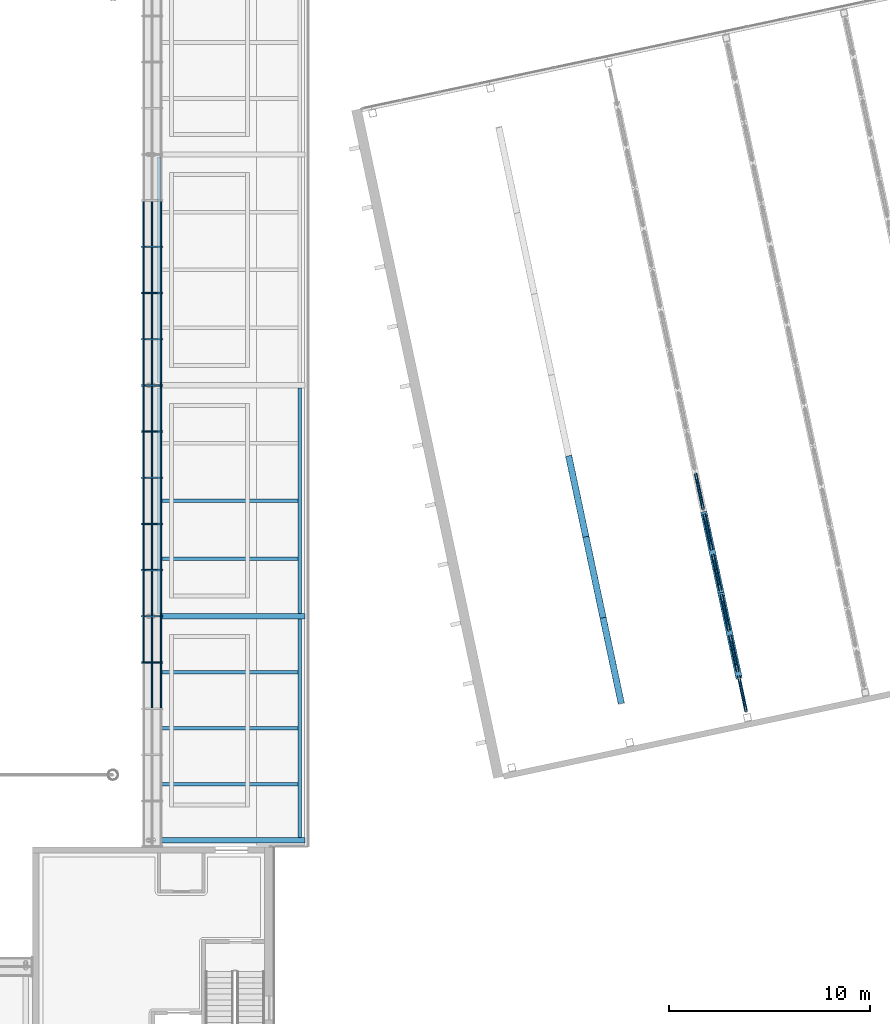
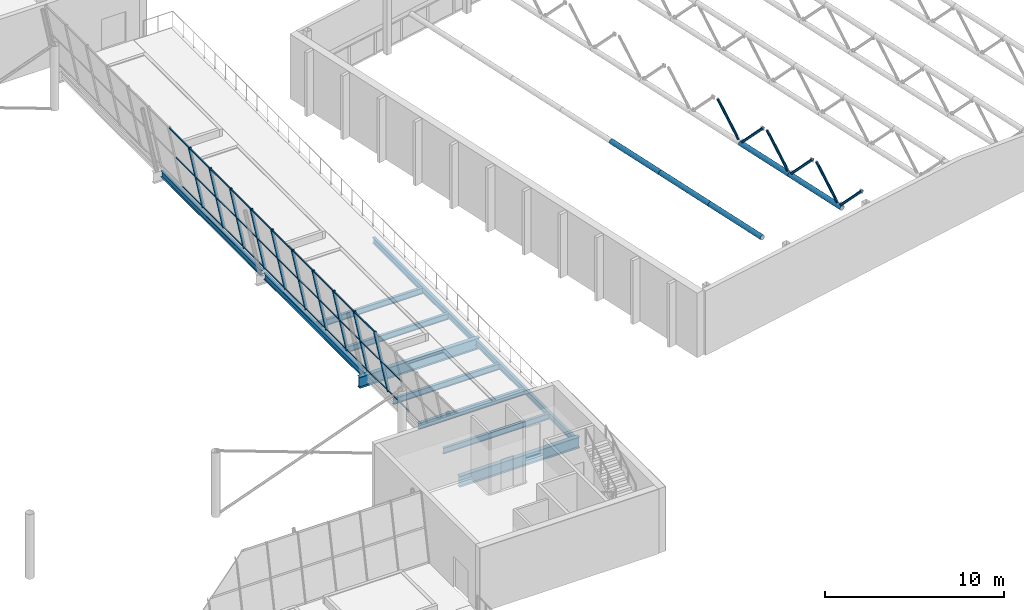
# One storey, part 15 of 58: 53 members, 11 beams, 1 element without a shape of its own.
"""IFC4 building model written with IfcOpenShell, lengths in metres."""

from ifc_helpers import new_model, si_unit, direction, frame, origin, origin_2d, place, context, subcontext, project, spatial, rectangle, hollow_circle, i_section, extrude, material, layer, layer_set, material_profile, profile_set, type_object, element, aggregate, save


model = new_model("IFC4")

# Units and contexts
model_context = context("Model", 3, precision=1e-05, world=origin(), true_north=direction((0.0, 1.0)))
body_context = subcontext(model_context, "Body", "Model", "MODEL_VIEW")
ifc_project = project(units=[si_unit("LENGTHUNIT", "METRE"), si_unit("AREAUNIT", "SQUARE_METRE"), si_unit("VOLUMEUNIT", "CUBIC_METRE"), si_unit("PLANEANGLEUNIT", "RADIAN"), si_unit("MASSUNIT", "GRAM", prefix="KILO")], contexts=[model_context])

# Site, building, storey
site_placement = place(None, origin())
site = spatial("IfcSite", under=ifc_project, at=site_placement, CompositionType="ELEMENT")
building_placement = place(site_placement, origin())
building = spatial("IfcBuilding", under=site, at=building_placement, Name="Windward Yard Aquatics Centre", CompositionType="ELEMENT")
storey_placement = place(building_placement, frame((0.0, 0.0, 13.800048828125)))
storey = spatial("IfcBuildingStorey", under=building, at=storey_placement, Name="L03", CompositionType="ELEMENT", Elevation=13.800048828125)

# Members
ifc_material_1 = material(Name="Steel ASTM A500 Gr C", Category="steel")
ifc_material_profile_1 = material_profile(ifc_material_1, hollow_circle(Radius=0.161865234375, WallThickness=0.0126953125, at=origin_2d()), Name="HSS323.9X12.7")
ifc_profile_set_1 = profile_set([ifc_material_profile_1], Name="Steel ASTM A500 Gr C")
member_type_1 = type_object("IfcMemberType", Name="D bottom chord HSS323.9X12.7", PredefinedType="CHORD", material=ifc_profile_set_1)
member_1_placement = place(storey_placement, frame((169.312744140625, 45.15380859375, 3.715087890625), z_axis=(-0.207907524746, 0.97814848625, 0.0), x_axis=(-0.97814848625, -0.207907524746, 0.0)))
element("IfcMember", 1, at=member_1_placement, inside=storey, type_object=member_type_1, Name="D.M.TR2.BC1", PredefinedType="CHORD", context=body_context, shape_type="SweptSolid", body=[
    extrude(hollow_circle(Radius=0.161865234375, WallThickness=0.0126953125, at=origin_2d()), origin(), (0.0, 0.0, 1.0), 4.37060546875),
])
member_2_placement = place(storey_placement, frame((168.404052734375, 49.428955078125, 3.715087890625), z_axis=(-0.207906233063, 0.978148760799, 0.0), x_axis=(-0.978148760799, -0.207906233063, 0.0)))
element("IfcMember", 2, at=member_2_placement, inside=storey, type_object=member_type_1, Name="D.M.TR2.BC2", PredefinedType="CHORD", context=body_context, shape_type="SweptSolid", body=[
    extrude(hollow_circle(Radius=0.161865234375, WallThickness=0.0126953125, at=origin_2d()), origin(), (0.0, 0.0, 1.0), 4.12060546875),
])
member_3_placement = place(storey_placement, frame((167.54736328125, 53.45947265625, 3.715087890625), z_axis=(-0.2079182829, 0.97814619952, 0.0), x_axis=(-0.97814619952, -0.2079182829, 0.0)))
element("IfcMember", 3, at=member_3_placement, inside=storey, type_object=member_type_1, Name="D.M.TR2.BC3", PredefinedType="CHORD", context=body_context, shape_type="SweptSolid", body=[
    extrude(hollow_circle(Radius=0.161865234375, WallThickness=0.0126953125, at=origin_2d()), origin(), (0.0, 0.0, 1.0), 4.120361328125),
])
member_4_placement = place(storey_placement, frame((175.181396484375, 46.4013671875, 2.925537109375), z_axis=(-0.207854079266, 0.978159844674, 0.0), x_axis=(-0.978159844674, -0.207854079266, 0.0)))
element("IfcMember", 4, at=member_4_placement, inside=storey, type_object=member_type_1, Name="D.M.TR3.BC1", PredefinedType="CHORD", context=body_context, shape_type="SweptSolid", body=[
    extrude(hollow_circle(Radius=0.161865234375, WallThickness=0.0126953125, at=origin_2d()), origin(), (0.0, 0.0, 1.0), 4.37060546875),
])
member_5_placement = place(storey_placement, frame((174.27294921875, 50.676513671875, 2.925537109375), z_axis=(-0.2079182829, 0.97814619952, 0.0), x_axis=(-0.97814619952, -0.2079182829, 0.0)))
element("IfcMember", 5, at=member_5_placement, inside=storey, type_object=member_type_1, Name="D.M.TR3.BC2", PredefinedType="CHORD", context=body_context, shape_type="SweptSolid", body=[
    extrude(hollow_circle(Radius=0.161865234375, WallThickness=0.0126953125, at=origin_2d()), origin(), (0.0, 0.0, 1.0), 4.120361328125),
])
ifc_material_profile_2 = material_profile(ifc_material_1, hollow_circle(Radius=0.084228515625, WallThickness=0.010986328125, at=origin_2d()), Name="HSS168.3X11")
ifc_profile_set_2 = profile_set([ifc_material_profile_2], Name="Steel ASTM A500 Gr C")
member_type_2 = type_object("IfcMemberType", Name="D web HSS168.3X11", PredefinedType="BRACE", material=ifc_profile_set_2)
member_6_placement = place(storey_placement, frame((175.5263671875, 44.779052734375, 4.963623046875), z_axis=(-0.142103284534, 0.668626350155, -0.729894143286), x_axis=(-0.978152846624, -0.207887009312, 0.0)))
element("IfcMember", 6, at=member_6_placement, inside=storey, type_object=member_type_2, Name="D.M.TR3.D1", PredefinedType="BRACE", context=body_context, shape_type="SweptSolid", body=[
    extrude(hollow_circle(Radius=0.084228515625, WallThickness=0.010986328125, at=origin_2d()), origin(), (0.0, 0.0, 1.0), 2.5703125),
])
member_7_placement = place(storey_placement, frame((174.73291015625, 48.5126953125, 4.963623046875), z_axis=(0.142010211965, -0.668635372589, -0.729903992467), x_axis=(0.97818109565, 0.207754047165, 0.0)))
element("IfcMember", 7, at=member_7_placement, inside=storey, type_object=member_type_2, Name="D.M.TR3.D2", PredefinedType="BRACE", context=body_context, shape_type="SweptSolid", body=[
    extrude(hollow_circle(Radius=0.084228515625, WallThickness=0.010986328125, at=origin_2d()), origin(), (0.0, 0.0, 1.0), 2.570068359375),
])
member_8_placement = place(storey_placement, frame((174.669677734375, 48.8095703125, 4.963623046875), z_axis=(-0.142103284534, 0.668626350155, -0.729894143286), x_axis=(-0.978152846624, -0.207887009312, 0.0)))
element("IfcMember", 8, at=member_8_placement, inside=storey, type_object=member_type_2, Name="D.M.TR3.D3", PredefinedType="BRACE", context=body_context, shape_type="SweptSolid", body=[
    extrude(hollow_circle(Radius=0.084228515625, WallThickness=0.010986328125, at=origin_2d()), origin(), (0.0, 0.0, 1.0), 2.5703125),
])
for number, where, z_axis, x_axis, name in (
    (9, (173.876220703125, 52.543212890625, 4.963623046875), (0.142010211965, -0.668635372589, -0.729903992467), (0.97818109565, 0.207754047165, 0.0), "D.M.TR3.D4"),
    (10, (173.81298828125, 52.840087890625, 4.963623046875), (-0.142112310021, 0.668573822143, -0.72994050147), (-0.978146839882, -0.207915270313, 0.0), "D.M.TR3.D5"),
):
    element("IfcMember", number, at=place(storey_placement, frame(where, z_axis=z_axis, x_axis=x_axis)), inside=storey, type_object=member_type_2, Name=name, PredefinedType="BRACE", context=body_context, shape_type="SweptSolid", body=[
        extrude(hollow_circle(Radius=0.084228515625, WallThickness=0.010986328125, at=origin_2d()), origin(), (0.0, 0.0, 1.0), 2.570068359375),
    ])
member_9_placement = place(storey_placement, frame((173.019287109375, 56.57373046875, 4.963623046875), z_axis=(0.142103284534, -0.668626350155, -0.729894143286), x_axis=(0.978152846624, 0.207887009312, 0.0)))
element("IfcMember", 11, at=member_9_placement, inside=storey, type_object=member_type_2, Name="D.M.TR3.D6", PredefinedType="BRACE", context=body_context, shape_type="SweptSolid", body=[
    extrude(hollow_circle(Radius=0.084228515625, WallThickness=0.010986328125, at=origin_2d()), origin(), (0.0, 0.0, 1.0), 2.5703125),
])

# Curtain wall, members
ifc_material_2 = material(Name="Glass and aluminium curtain wall", Category="aluminium")
ifc_layer = layer(ifc_material_2, 0.179931640625)
ifc_layer_set = layer_set([ifc_layer], Name="H curtain wall tier 2 double glazed 6+16+6")
curtain_wall_type = type_object("IfcCurtainWallType", Name="H curtain wall tier 2 double glazed 6+16+6", PredefinedType="NOTDEFINED", material=ifc_layer_set)
curtain_wall_placement = place(storey_placement, origin())
curtain_wall = element("IfcCurtainWall", 12, at=curtain_wall_placement, inside=storey, type_object=curtain_wall_type, Name="Tier 2 glazing E L03", PredefinedType="NOTDEFINED")
ifc_material_3 = material(Name="Aluminium 6063-T6 anodised", Category="aluminium")
ifc_material_profile_3 = material_profile(ifc_material_3, rectangle(XDim=0.06494140625, YDim=0.179931640625, at=origin_2d()), Name="H CW mullion 65x180")
ifc_profile_set_3 = profile_set([ifc_material_profile_3], Name="Aluminium 6063-T6 anodised")
member_type_3 = type_object("IfcMemberType", Name="H CW mullion 65x180", PredefinedType="MULLION", material=ifc_profile_set_3)
member_10_placement = place(storey_placement, frame((146.38623046875, 47.199951171875, 0.017822265625), z_axis=(-0.199327811945, 0.0, 0.979932866775), x_axis=(0.0, -1.0, 0.0)))
member_10 = element("IfcMember", 13, at=member_10_placement, type_object=member_type_3, Name="G2EA mullion 5", PredefinedType="MULLION", context=body_context, shape_type="SweptSolid", body=[
    extrude(rectangle(XDim=0.06494140625, YDim=0.179931640625, at=origin_2d()), origin(), (0.0, 0.0, 1.0), 4.471923828125),
])
member_11_placement = place(storey_placement, frame((146.38623046875, 49.5, 0.017822265625), z_axis=(-0.199327811945, 0.0, 0.979932866775), x_axis=(0.0, -1.0, 0.0)))
member_11 = element("IfcMember", 14, at=member_11_placement, type_object=member_type_3, Name="G2EA mullion 6", PredefinedType="MULLION", context=body_context, shape_type="SweptSolid", body=[
    extrude(rectangle(XDim=0.06494140625, YDim=0.179931640625, at=origin_2d()), origin(), (0.0, 0.0, 1.0), 4.471923828125),
])
member_12_placement = place(storey_placement, frame((146.38623046875, 51.800048828125, 0.017822265625), z_axis=(-0.199327811945, 0.0, 0.979932866775), x_axis=(0.0, -1.0, 0.0)))
member_12 = element("IfcMember", 15, at=member_12_placement, type_object=member_type_3, Name="G2EA mullion 7", PredefinedType="MULLION", context=body_context, shape_type="SweptSolid", body=[
    extrude(rectangle(XDim=0.06494140625, YDim=0.179931640625, at=origin_2d()), origin(), (0.0, 0.0, 1.0), 4.471923828125),
])
member_13_placement = place(storey_placement, frame((146.38623046875, 54.10009765625, 0.017822265625), z_axis=(-0.199327811945, 0.0, 0.979932866775), x_axis=(0.0, -1.0, 0.0)))
member_13 = element("IfcMember", 16, at=member_13_placement, type_object=member_type_3, Name="G2EA mullion 8", PredefinedType="MULLION", context=body_context, shape_type="SweptSolid", body=[
    extrude(rectangle(XDim=0.06494140625, YDim=0.179931640625, at=origin_2d()), origin(), (0.0, 0.0, 1.0), 4.471923828125),
])
member_14_placement = place(storey_placement, frame((146.38623046875, 56.39990234375, 0.017822265625), z_axis=(-0.199327811945, 0.0, 0.979932866775), x_axis=(0.0, -1.0, 0.0)))
member_14 = element("IfcMember", 17, at=member_14_placement, type_object=member_type_3, Name="G2EA mullion 9", PredefinedType="MULLION", context=body_context, shape_type="SweptSolid", body=[
    extrude(rectangle(XDim=0.06494140625, YDim=0.179931640625, at=origin_2d()), origin(), (0.0, 0.0, 1.0), 4.471923828125),
])
member_15_placement = place(storey_placement, frame((146.38623046875, 58.699951171875, 0.017822265625), z_axis=(-0.199327811945, 0.0, 0.979932866775), x_axis=(0.0, -1.0, 0.0)))
member_15 = element("IfcMember", 18, at=member_15_placement, type_object=member_type_3, Name="G2EA mullion 10", PredefinedType="MULLION", context=body_context, shape_type="SweptSolid", body=[
    extrude(rectangle(XDim=0.06494140625, YDim=0.179931640625, at=origin_2d()), origin(), (0.0, 0.0, 1.0), 4.471923828125),
])
member_16_placement = place(storey_placement, frame((146.38623046875, 61.0, 0.017822265625), z_axis=(-0.199327811945, 0.0, 0.979932866775), x_axis=(0.0, -1.0, 0.0)))
member_16 = element("IfcMember", 19, at=member_16_placement, type_object=member_type_3, Name="G2EA mullion 11", PredefinedType="MULLION", context=body_context, shape_type="SweptSolid", body=[
    extrude(rectangle(XDim=0.06494140625, YDim=0.179931640625, at=origin_2d()), origin(), (0.0, 0.0, 1.0), 4.471923828125),
])
member_17_placement = place(storey_placement, frame((146.38623046875, 63.300048828125, 0.017822265625), z_axis=(-0.199327811945, 0.0, 0.979932866775), x_axis=(0.0, -1.0, 0.0)))
member_17 = element("IfcMember", 20, at=member_17_placement, type_object=member_type_3, Name="G2EA mullion 12", PredefinedType="MULLION", context=body_context, shape_type="SweptSolid", body=[
    extrude(rectangle(XDim=0.06494140625, YDim=0.179931640625, at=origin_2d()), origin(), (0.0, 0.0, 1.0), 4.471923828125),
])
member_18_placement = place(storey_placement, frame((146.38623046875, 65.60009765625, 0.017822265625), z_axis=(-0.199327811945, 0.0, 0.979932866775), x_axis=(0.0, -1.0, 0.0)))
member_18 = element("IfcMember", 21, at=member_18_placement, type_object=member_type_3, Name="G2EA mullion 13", PredefinedType="MULLION", context=body_context, shape_type="SweptSolid", body=[
    extrude(rectangle(XDim=0.06494140625, YDim=0.179931640625, at=origin_2d()), origin(), (0.0, 0.0, 1.0), 4.471923828125),
])
member_19_placement = place(storey_placement, frame((146.38623046875, 67.89990234375, 0.017822265625), z_axis=(-0.199327811945, 0.0, 0.979932866775), x_axis=(0.0, -1.0, 0.0)))
member_19 = element("IfcMember", 22, at=member_19_placement, type_object=member_type_3, Name="G2EA mullion 14", PredefinedType="MULLION", context=body_context, shape_type="SweptSolid", body=[
    extrude(rectangle(XDim=0.06494140625, YDim=0.179931640625, at=origin_2d()), origin(), (0.0, 0.0, 1.0), 4.471923828125),
])
ifc_material_profile_4 = material_profile(ifc_material_3, rectangle(XDim=0.06494140625, YDim=0.10009765625, at=origin_2d()), Name="H CW transom 65x100")
ifc_profile_set_4 = profile_set([ifc_material_profile_4], Name="Aluminium 6063-T6 anodised")
member_type_4 = type_object("IfcMemberType", Name="H CW transom 65x100", PredefinedType="USERDEFINED", material=ifc_profile_set_4)
member_20_placement = place(storey_placement, frame((146.378662109375, 44.9326171875, 0.055419921875), z_axis=(0.0, 1.0, 0.0), x_axis=(0.979924704642, 0.0, 0.199367934315)))
member_20 = element("IfcMember", 23, at=member_20_placement, type_object=member_type_4, Name="G2EA transom 4.1", ObjectType="TRANSOM", PredefinedType="USERDEFINED", context=body_context, shape_type="SweptSolid", body=[
    extrude(rectangle(XDim=0.06494140625, YDim=0.10009765625, at=origin_2d()), origin(), (0.0, 0.0, 1.0), 2.23486328125),
])
member_21_placement = place(storey_placement, frame((145.9423828125, 44.9326171875, 2.199951171875), z_axis=(0.0, 1.0, 0.0), x_axis=(0.979924704642, 0.0, 0.199367934315)))
member_21 = element("IfcMember", 24, at=member_21_placement, type_object=member_type_4, Name="G2EA transom 4.2", ObjectType="TRANSOM", PredefinedType="USERDEFINED", context=body_context, shape_type="SweptSolid", body=[
    extrude(rectangle(XDim=0.06494140625, YDim=0.10009765625, at=origin_2d()), origin(), (0.0, 0.0, 1.0), 2.23486328125),
])
member_22_placement = place(storey_placement, frame((146.378662109375, 47.232421875, 0.055419921875), z_axis=(0.0, 1.0, 0.0), x_axis=(0.979924704642, 0.0, 0.199367934315)))
member_22 = element("IfcMember", 25, at=member_22_placement, type_object=member_type_4, Name="G2EA transom 5.1", ObjectType="TRANSOM", PredefinedType="USERDEFINED", context=body_context, shape_type="SweptSolid", body=[
    extrude(rectangle(XDim=0.06494140625, YDim=0.10009765625, at=origin_2d()), origin(), (0.0, 0.0, 1.0), 2.235107421875),
])
member_23_placement = place(storey_placement, frame((145.9423828125, 47.232421875, 2.199951171875), z_axis=(0.0, 1.0, 0.0), x_axis=(0.979924704642, 0.0, 0.199367934315)))
member_23 = element("IfcMember", 26, at=member_23_placement, type_object=member_type_4, Name="G2EA transom 5.2", ObjectType="TRANSOM", PredefinedType="USERDEFINED", context=body_context, shape_type="SweptSolid", body=[
    extrude(rectangle(XDim=0.06494140625, YDim=0.10009765625, at=origin_2d()), origin(), (0.0, 0.0, 1.0), 2.235107421875),
])
member_24_placement = place(storey_placement, frame((145.5048828125, 47.232421875, 4.35107421875), z_axis=(0.0, 1.0, 0.0), x_axis=(0.979924704642, 0.0, 0.199367934315)))
member_24 = element("IfcMember", 27, at=member_24_placement, type_object=member_type_4, Name="G2EA transom 5.3", ObjectType="TRANSOM", PredefinedType="USERDEFINED", context=body_context, shape_type="SweptSolid", body=[
    extrude(rectangle(XDim=0.06494140625, YDim=0.10009765625, at=origin_2d()), origin(), (0.0, 0.0, 1.0), 2.235107421875),
])
member_25_placement = place(storey_placement, frame((146.378662109375, 49.532470703125, 0.055419921875), z_axis=(0.0, 1.0, 0.0), x_axis=(0.979924704642, 0.0, 0.199367934315)))
member_25 = element("IfcMember", 28, at=member_25_placement, type_object=member_type_4, Name="G2EA transom 6.1", ObjectType="TRANSOM", PredefinedType="USERDEFINED", context=body_context, shape_type="SweptSolid", body=[
    extrude(rectangle(XDim=0.06494140625, YDim=0.10009765625, at=origin_2d()), origin(), (0.0, 0.0, 1.0), 2.235107421875),
])
member_26_placement = place(storey_placement, frame((145.9423828125, 49.532470703125, 2.199951171875), z_axis=(0.0, 1.0, 0.0), x_axis=(0.979924704642, 0.0, 0.199367934315)))
member_26 = element("IfcMember", 29, at=member_26_placement, type_object=member_type_4, Name="G2EA transom 6.2", ObjectType="TRANSOM", PredefinedType="USERDEFINED", context=body_context, shape_type="SweptSolid", body=[
    extrude(rectangle(XDim=0.06494140625, YDim=0.10009765625, at=origin_2d()), origin(), (0.0, 0.0, 1.0), 2.235107421875),
])
member_27_placement = place(storey_placement, frame((145.5048828125, 49.532470703125, 4.35107421875), z_axis=(0.0, 1.0, 0.0), x_axis=(0.979924704642, 0.0, 0.199367934315)))
member_27 = element("IfcMember", 30, at=member_27_placement, type_object=member_type_4, Name="G2EA transom 6.3", ObjectType="TRANSOM", PredefinedType="USERDEFINED", context=body_context, shape_type="SweptSolid", body=[
    extrude(rectangle(XDim=0.06494140625, YDim=0.10009765625, at=origin_2d()), origin(), (0.0, 0.0, 1.0), 2.235107421875),
])
member_28_placement = place(storey_placement, frame((146.378662109375, 51.83251953125, 0.055419921875), z_axis=(0.0, 1.0, 0.0), x_axis=(0.979924704642, 0.0, 0.199367934315)))
member_28 = element("IfcMember", 31, at=member_28_placement, type_object=member_type_4, Name="G2EA transom 7.1", ObjectType="TRANSOM", PredefinedType="USERDEFINED", context=body_context, shape_type="SweptSolid", body=[
    extrude(rectangle(XDim=0.06494140625, YDim=0.10009765625, at=origin_2d()), origin(), (0.0, 0.0, 1.0), 2.23486328125),
])
member_29_placement = place(storey_placement, frame((145.9423828125, 51.83251953125, 2.199951171875), z_axis=(0.0, 1.0, 0.0), x_axis=(0.979924704642, 0.0, 0.199367934315)))
member_29 = element("IfcMember", 32, at=member_29_placement, type_object=member_type_4, Name="G2EA transom 7.2", ObjectType="TRANSOM", PredefinedType="USERDEFINED", context=body_context, shape_type="SweptSolid", body=[
    extrude(rectangle(XDim=0.06494140625, YDim=0.10009765625, at=origin_2d()), origin(), (0.0, 0.0, 1.0), 2.23486328125),
])
member_30_placement = place(storey_placement, frame((145.5048828125, 51.83251953125, 4.35107421875), z_axis=(0.0, 1.0, 0.0), x_axis=(0.979924704642, 0.0, 0.199367934315)))
member_30 = element("IfcMember", 33, at=member_30_placement, type_object=member_type_4, Name="G2EA transom 7.3", ObjectType="TRANSOM", PredefinedType="USERDEFINED", context=body_context, shape_type="SweptSolid", body=[
    extrude(rectangle(XDim=0.06494140625, YDim=0.10009765625, at=origin_2d()), origin(), (0.0, 0.0, 1.0), 2.23486328125),
])
member_31_placement = place(storey_placement, frame((146.378662109375, 54.132568359375, 0.055419921875), z_axis=(0.0, 1.0, 0.0), x_axis=(0.979924704642, 0.0, 0.199367934315)))
member_31 = element("IfcMember", 34, at=member_31_placement, type_object=member_type_4, Name="G2EA transom 8.1", ObjectType="TRANSOM", PredefinedType="USERDEFINED", context=body_context, shape_type="SweptSolid", body=[
    extrude(rectangle(XDim=0.06494140625, YDim=0.10009765625, at=origin_2d()), origin(), (0.0, 0.0, 1.0), 2.23486328125),
])
member_32_placement = place(storey_placement, frame((145.9423828125, 54.132568359375, 2.199951171875), z_axis=(0.0, 1.0, 0.0), x_axis=(0.979924704642, 0.0, 0.199367934315)))
member_32 = element("IfcMember", 35, at=member_32_placement, type_object=member_type_4, Name="G2EA transom 8.2", ObjectType="TRANSOM", PredefinedType="USERDEFINED", context=body_context, shape_type="SweptSolid", body=[
    extrude(rectangle(XDim=0.06494140625, YDim=0.10009765625, at=origin_2d()), origin(), (0.0, 0.0, 1.0), 2.23486328125),
])
member_33_placement = place(storey_placement, frame((145.5048828125, 54.132568359375, 4.35107421875), z_axis=(0.0, 1.0, 0.0), x_axis=(0.979924704642, 0.0, 0.199367934315)))
member_33 = element("IfcMember", 36, at=member_33_placement, type_object=member_type_4, Name="G2EA transom 8.3", ObjectType="TRANSOM", PredefinedType="USERDEFINED", context=body_context, shape_type="SweptSolid", body=[
    extrude(rectangle(XDim=0.06494140625, YDim=0.10009765625, at=origin_2d()), origin(), (0.0, 0.0, 1.0), 2.23486328125),
])
member_34_placement = place(storey_placement, frame((146.378662109375, 56.4326171875, 0.055419921875), z_axis=(0.0, 1.0, 0.0), x_axis=(0.979924704642, 0.0, 0.199367934315)))
member_34 = element("IfcMember", 37, at=member_34_placement, type_object=member_type_4, Name="G2EA transom 9.1", ObjectType="TRANSOM", PredefinedType="USERDEFINED", context=body_context, shape_type="SweptSolid", body=[
    extrude(rectangle(XDim=0.06494140625, YDim=0.10009765625, at=origin_2d()), origin(), (0.0, 0.0, 1.0), 2.23486328125),
])
member_35_placement = place(storey_placement, frame((145.9423828125, 56.4326171875, 2.199951171875), z_axis=(0.0, 1.0, 0.0), x_axis=(0.979924704642, 0.0, 0.199367934315)))
member_35 = element("IfcMember", 38, at=member_35_placement, type_object=member_type_4, Name="G2EA transom 9.2", ObjectType="TRANSOM", PredefinedType="USERDEFINED", context=body_context, shape_type="SweptSolid", body=[
    extrude(rectangle(XDim=0.06494140625, YDim=0.10009765625, at=origin_2d()), origin(), (0.0, 0.0, 1.0), 2.23486328125),
])
member_36_placement = place(storey_placement, frame((145.5048828125, 56.4326171875, 4.35107421875), z_axis=(0.0, 1.0, 0.0), x_axis=(0.979924704642, 0.0, 0.199367934315)))
member_36 = element("IfcMember", 39, at=member_36_placement, type_object=member_type_4, Name="G2EA transom 9.3", ObjectType="TRANSOM", PredefinedType="USERDEFINED", context=body_context, shape_type="SweptSolid", body=[
    extrude(rectangle(XDim=0.06494140625, YDim=0.10009765625, at=origin_2d()), origin(), (0.0, 0.0, 1.0), 2.23486328125),
])
member_37_placement = place(storey_placement, frame((146.378662109375, 58.732421875, 0.055419921875), z_axis=(0.0, 1.0, 0.0), x_axis=(0.979924704642, 0.0, 0.199367934315)))
member_37 = element("IfcMember", 40, at=member_37_placement, type_object=member_type_4, Name="G2EA transom 10.1", ObjectType="TRANSOM", PredefinedType="USERDEFINED", context=body_context, shape_type="SweptSolid", body=[
    extrude(rectangle(XDim=0.06494140625, YDim=0.10009765625, at=origin_2d()), origin(), (0.0, 0.0, 1.0), 2.235107421875),
])
member_38_placement = place(storey_placement, frame((145.9423828125, 58.732421875, 2.199951171875), z_axis=(0.0, 1.0, 0.0), x_axis=(0.979924704642, 0.0, 0.199367934315)))
member_38 = element("IfcMember", 41, at=member_38_placement, type_object=member_type_4, Name="G2EA transom 10.2", ObjectType="TRANSOM", PredefinedType="USERDEFINED", context=body_context, shape_type="SweptSolid", body=[
    extrude(rectangle(XDim=0.06494140625, YDim=0.10009765625, at=origin_2d()), origin(), (0.0, 0.0, 1.0), 2.235107421875),
])
member_39_placement = place(storey_placement, frame((145.5048828125, 58.732421875, 4.35107421875), z_axis=(0.0, 1.0, 0.0), x_axis=(0.979924704642, 0.0, 0.199367934315)))
member_39 = element("IfcMember", 42, at=member_39_placement, type_object=member_type_4, Name="G2EA transom 10.3", ObjectType="TRANSOM", PredefinedType="USERDEFINED", context=body_context, shape_type="SweptSolid", body=[
    extrude(rectangle(XDim=0.06494140625, YDim=0.10009765625, at=origin_2d()), origin(), (0.0, 0.0, 1.0), 2.235107421875),
])
member_40_placement = place(storey_placement, frame((146.378662109375, 61.032470703125, 0.055419921875), z_axis=(0.0, 1.0, 0.0), x_axis=(0.979924704642, 0.0, 0.199367934315)))
member_40 = element("IfcMember", 43, at=member_40_placement, type_object=member_type_4, Name="G2EA transom 11.1", ObjectType="TRANSOM", PredefinedType="USERDEFINED", context=body_context, shape_type="SweptSolid", body=[
    extrude(rectangle(XDim=0.06494140625, YDim=0.10009765625, at=origin_2d()), origin(), (0.0, 0.0, 1.0), 2.235107421875),
])
member_41_placement = place(storey_placement, frame((145.9423828125, 61.032470703125, 2.199951171875), z_axis=(0.0, 1.0, 0.0), x_axis=(0.979924704642, 0.0, 0.199367934315)))
member_41 = element("IfcMember", 44, at=member_41_placement, type_object=member_type_4, Name="G2EA transom 11.2", ObjectType="TRANSOM", PredefinedType="USERDEFINED", context=body_context, shape_type="SweptSolid", body=[
    extrude(rectangle(XDim=0.06494140625, YDim=0.10009765625, at=origin_2d()), origin(), (0.0, 0.0, 1.0), 2.235107421875),
])
member_42_placement = place(storey_placement, frame((145.5048828125, 61.032470703125, 4.35107421875), z_axis=(0.0, 1.0, 0.0), x_axis=(0.979924704642, 0.0, 0.199367934315)))
member_42 = element("IfcMember", 45, at=member_42_placement, type_object=member_type_4, Name="G2EA transom 11.3", ObjectType="TRANSOM", PredefinedType="USERDEFINED", context=body_context, shape_type="SweptSolid", body=[
    extrude(rectangle(XDim=0.06494140625, YDim=0.10009765625, at=origin_2d()), origin(), (0.0, 0.0, 1.0), 2.235107421875),
])
member_43_placement = place(storey_placement, frame((146.378662109375, 63.33251953125, 0.055419921875), z_axis=(0.0, 1.0, 0.0), x_axis=(0.979924704642, 0.0, 0.199367934315)))
member_43 = element("IfcMember", 46, at=member_43_placement, type_object=member_type_4, Name="G2EA transom 12.1", ObjectType="TRANSOM", PredefinedType="USERDEFINED", context=body_context, shape_type="SweptSolid", body=[
    extrude(rectangle(XDim=0.06494140625, YDim=0.10009765625, at=origin_2d()), origin(), (0.0, 0.0, 1.0), 2.23486328125),
])
member_44_placement = place(storey_placement, frame((145.9423828125, 63.33251953125, 2.199951171875), z_axis=(0.0, 1.0, 0.0), x_axis=(0.979924704642, 0.0, 0.199367934315)))
member_44 = element("IfcMember", 47, at=member_44_placement, type_object=member_type_4, Name="G2EA transom 12.2", ObjectType="TRANSOM", PredefinedType="USERDEFINED", context=body_context, shape_type="SweptSolid", body=[
    extrude(rectangle(XDim=0.06494140625, YDim=0.10009765625, at=origin_2d()), origin(), (0.0, 0.0, 1.0), 2.23486328125),
])
member_45_placement = place(storey_placement, frame((145.5048828125, 63.33251953125, 4.35107421875), z_axis=(0.0, 1.0, 0.0), x_axis=(0.979924704642, 0.0, 0.199367934315)))
member_45 = element("IfcMember", 48, at=member_45_placement, type_object=member_type_4, Name="G2EA transom 12.3", ObjectType="TRANSOM", PredefinedType="USERDEFINED", context=body_context, shape_type="SweptSolid", body=[
    extrude(rectangle(XDim=0.06494140625, YDim=0.10009765625, at=origin_2d()), origin(), (0.0, 0.0, 1.0), 2.23486328125),
])
member_46_placement = place(storey_placement, frame((146.378662109375, 65.632568359375, 0.055419921875), z_axis=(0.0, 1.0, 0.0), x_axis=(0.979924704642, 0.0, 0.199367934315)))
member_46 = element("IfcMember", 49, at=member_46_placement, type_object=member_type_4, Name="G2EA transom 13.1", ObjectType="TRANSOM", PredefinedType="USERDEFINED", context=body_context, shape_type="SweptSolid", body=[
    extrude(rectangle(XDim=0.06494140625, YDim=0.10009765625, at=origin_2d()), origin(), (0.0, 0.0, 1.0), 2.23486328125),
])
member_47_placement = place(storey_placement, frame((145.9423828125, 65.632568359375, 2.199951171875), z_axis=(0.0, 1.0, 0.0), x_axis=(0.979924704642, 0.0, 0.199367934315)))
member_47 = element("IfcMember", 50, at=member_47_placement, type_object=member_type_4, Name="G2EA transom 13.2", ObjectType="TRANSOM", PredefinedType="USERDEFINED", context=body_context, shape_type="SweptSolid", body=[
    extrude(rectangle(XDim=0.06494140625, YDim=0.10009765625, at=origin_2d()), origin(), (0.0, 0.0, 1.0), 2.23486328125),
])
member_48_placement = place(storey_placement, frame((145.5048828125, 65.632568359375, 4.35107421875), z_axis=(0.0, 1.0, 0.0), x_axis=(0.979924704642, 0.0, 0.199367934315)))
member_48 = element("IfcMember", 51, at=member_48_placement, type_object=member_type_4, Name="G2EA transom 13.3", ObjectType="TRANSOM", PredefinedType="USERDEFINED", context=body_context, shape_type="SweptSolid", body=[
    extrude(rectangle(XDim=0.06494140625, YDim=0.10009765625, at=origin_2d()), origin(), (0.0, 0.0, 1.0), 2.23486328125),
])
member_49_placement = place(storey_placement, frame((146.378662109375, 67.9326171875, 0.055419921875), z_axis=(0.0, 1.0, 0.0), x_axis=(0.979924704642, 0.0, 0.199367934315)))
member_49 = element("IfcMember", 52, at=member_49_placement, type_object=member_type_4, Name="G2EA transom 14.1", ObjectType="TRANSOM", PredefinedType="USERDEFINED", context=body_context, shape_type="SweptSolid", body=[
    extrude(rectangle(XDim=0.06494140625, YDim=0.10009765625, at=origin_2d()), origin(), (0.0, 0.0, 1.0), 2.23486328125),
])
member_50_placement = place(storey_placement, frame((145.9423828125, 67.9326171875, 2.199951171875), z_axis=(0.0, 1.0, 0.0), x_axis=(0.979924704642, 0.0, 0.199367934315)))
member_50 = element("IfcMember", 53, at=member_50_placement, type_object=member_type_4, Name="G2EA transom 14.2", ObjectType="TRANSOM", PredefinedType="USERDEFINED", context=body_context, shape_type="SweptSolid", body=[
    extrude(rectangle(XDim=0.06494140625, YDim=0.10009765625, at=origin_2d()), origin(), (0.0, 0.0, 1.0), 2.23486328125),
])
member_51_placement = place(storey_placement, frame((145.5048828125, 67.9326171875, 4.35107421875), z_axis=(0.0, 1.0, 0.0), x_axis=(0.979924704642, 0.0, 0.199367934315)))
member_51 = element("IfcMember", 54, at=member_51_placement, type_object=member_type_4, Name="G2EA transom 14.3", ObjectType="TRANSOM", PredefinedType="USERDEFINED", context=body_context, shape_type="SweptSolid", body=[
    extrude(rectangle(XDim=0.06494140625, YDim=0.10009765625, at=origin_2d()), origin(), (0.0, 0.0, 1.0), 2.23486328125),
])
aggregate(curtain_wall, [member_10, member_11, member_12, member_13, member_14, member_15, member_16, member_17, member_18, member_19, member_20, member_21, member_22, member_23, member_24, member_25, member_26, member_27, member_28, member_29, member_30, member_31, member_32, member_33, member_34, member_35, member_36, member_37, member_38, member_39, member_40, member_41, member_42, member_43, member_44, member_45, member_46, member_47, member_48, member_49, member_50, member_51])

# Beams
ifc_material_4 = material(Name="Steel ASTM A992 Gr 50", Category="steel")
ifc_material_profile_5 = material_profile(ifc_material_4, i_section(OverallWidth=0.177978515625, OverallDepth=0.406005859375, WebThickness=0.0078125, FlangeThickness=0.0126953125, at=origin_2d()), Name="W410X60")
ifc_profile_set_5 = profile_set([ifc_material_profile_5], Name="Steel ASTM A992 Gr 50")
beam_type_1 = type_object("IfcBeamType", Name="H terrace secondary beam W410X60", PredefinedType="BEAM", material=ifc_profile_set_5)
beam_1_placement = place(storey_placement, frame((153.301025390625, 38.4833984375, -0.35302734375), z_axis=(0.0, 1.0, 0.0), x_axis=(-1.0, 0.0, 0.0)))
element("IfcBeam", 55, at=beam_1_placement, inside=storey, type_object=beam_type_1, Name="H.T1E.E1.O", PredefinedType="BEAM", context=body_context, shape_type="SweptSolid", body=[
    extrude(i_section(OverallWidth=0.177978515625, OverallDepth=0.406005859375, WebThickness=0.0078125, FlangeThickness=0.0126953125, at=origin_2d()), origin(), (0.0, 0.0, 1.0), 10.883056640625),
])
for number, where, z_axis, x_axis, name in (
    (56, (153.2119140625, 41.137451171875, -0.35302734375), (-1.0, 0.0, 0.0), (0.0, -1.0, 0.0), "H.T1S.E1.1"),
    (57, (153.2119140625, 43.925048828125, -0.35302734375), (-1.0, 0.0, 0.0), (0.0, -1.0, 0.0), "H.T1S.E1.2"),
    (58, (153.2119140625, 46.71240234375, -0.35302734375), (-1.0, 0.0, 0.0), (0.0, -1.0, 0.0), "H.T1S.E1.3"),
):
    element("IfcBeam", number, at=place(storey_placement, frame(where, z_axis=z_axis, x_axis=x_axis)), inside=storey, type_object=beam_type_1, Name=name, PredefinedType="BEAM", context=body_context, shape_type="SweptSolid", body=[
        extrude(i_section(OverallWidth=0.177978515625, OverallDepth=0.406005859375, WebThickness=0.0078125, FlangeThickness=0.0126953125, at=origin_2d()), origin(), (0.0, 0.0, 1.0), 6.83251953125),
    ])
for number, where, z_axis, x_axis, name in (
    (59, (153.301025390625, 49.633544921875, -0.35302734375), (0.0, 1.0, 0.0), (-1.0, 0.0, 0.0), "H.T1E.E2.O"),
    (60, (146.290283203125, 49.633544921875, -0.35302734375), (0.0, 1.0, 0.0), (-1.0, 0.0, 0.0), "H.T1E.E2.I"),
):
    element("IfcBeam", number, at=place(storey_placement, frame(where, z_axis=z_axis, x_axis=x_axis)), inside=storey, type_object=beam_type_1, Name=name, PredefinedType="BEAM", context=body_context, shape_type="SweptSolid", body=[
        extrude(i_section(OverallWidth=0.177978515625, OverallDepth=0.406005859375, WebThickness=0.0078125, FlangeThickness=0.0126953125, at=origin_2d()), origin(), (0.0, 0.0, 1.0), 11.23291015625),
    ])
for number, where, z_axis, x_axis, name in (
    (61, (153.2119140625, 52.375, -0.35302734375), (-1.0, 0.0, 0.0), (0.0, -1.0, 0.0), "H.T1S.E2.1"),
    (62, (153.2119140625, 55.25, -0.35302734375), (-1.0, 0.0, 0.0), (0.0, -1.0, 0.0), "H.T1S.E2.2"),
):
    element("IfcBeam", number, at=place(storey_placement, frame(where, z_axis=z_axis, x_axis=x_axis)), inside=storey, type_object=beam_type_1, Name=name, PredefinedType="BEAM", context=body_context, shape_type="SweptSolid", body=[
        extrude(i_section(OverallWidth=0.177978515625, OverallDepth=0.406005859375, WebThickness=0.0078125, FlangeThickness=0.0126953125, at=origin_2d()), origin(), (0.0, 0.0, 1.0), 6.83251953125),
    ])
beam_2_placement = place(storey_placement, frame((146.290283203125, 61.133544921875, -0.35302734375), z_axis=(0.0, 1.0, 0.0), x_axis=(-1.0, 0.0, 0.0)))
element("IfcBeam", 63, at=beam_2_placement, inside=storey, type_object=beam_type_1, Name="H.T1E.E3.I", PredefinedType="BEAM", context=body_context, shape_type="SweptSolid", body=[
    extrude(i_section(OverallWidth=0.177978515625, OverallDepth=0.406005859375, WebThickness=0.0078125, FlangeThickness=0.0126953125, at=origin_2d()), origin(), (0.0, 0.0, 1.0), 11.23291015625),
])
ifc_material_profile_6 = material_profile(ifc_material_4, i_section(OverallWidth=0.26708984375, OverallDepth=0.75390625, WebThickness=0.01318359375, FlangeThickness=0.01708984375, at=origin_2d()), Name="W760X147")
ifc_profile_set_6 = profile_set([ifc_material_profile_6], Name="Steel ASTM A992 Gr 50")
beam_type_2 = type_object("IfcBeamType", Name="H terrace transfer girder W760X147", PredefinedType="BEAM", material=ifc_profile_set_6)
for number, where, z_axis, x_axis, name in (
    (64, (153.551025390625, 38.35009765625, -0.527099609375), (-1.0, 0.0, 0.0), (0.0, -1.0, 0.0), "H.T1B.E1"),
    (65, (153.551025390625, 49.5, -0.527099609375), (-1.0, 0.0, 0.0), (0.0, -1.0, 0.0), "H.T1B.E2"),
):
    element("IfcBeam", number, at=place(storey_placement, frame(where, z_axis=z_axis, x_axis=x_axis)), inside=storey, type_object=beam_type_2, Name=name, PredefinedType="BEAM", context=body_context, shape_type="SweptSolid", body=[
        extrude(i_section(OverallWidth=0.26708984375, OverallDepth=0.75390625, WebThickness=0.01318359375, FlangeThickness=0.01708984375, at=origin_2d()), origin(), (0.0, 0.0, 1.0), 7.766357421875),
    ])

save(model, "model.ifc")
